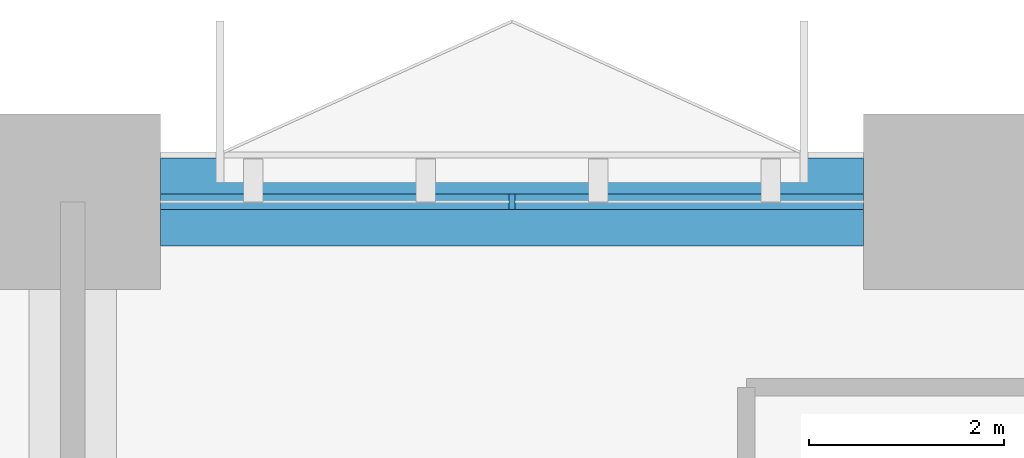
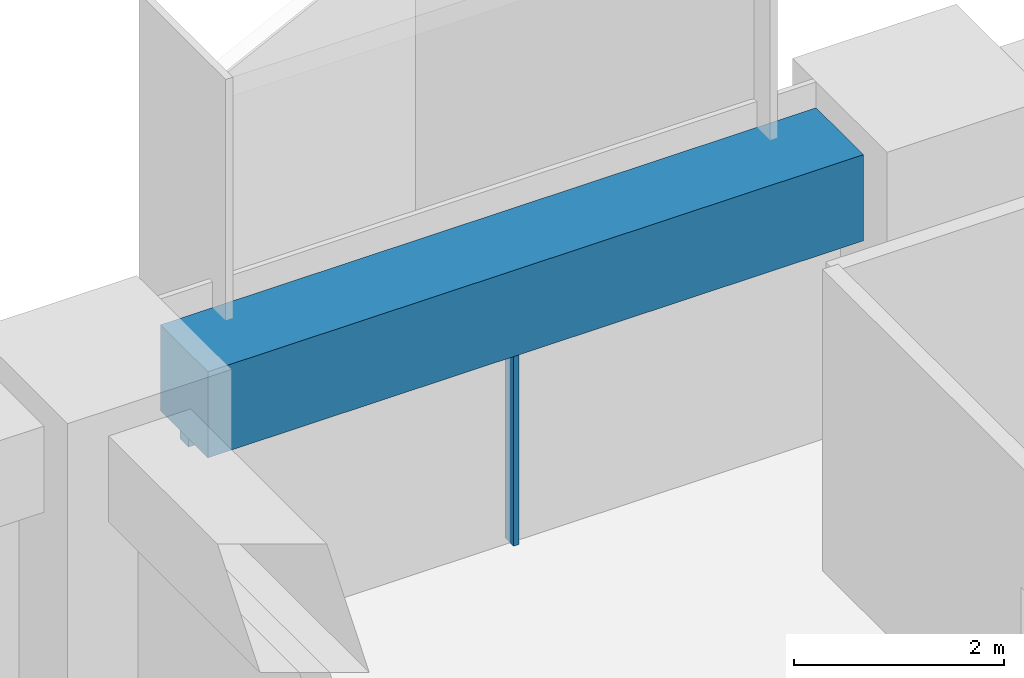
# One storey, part 8 of 22: 2 members, 1 beam, 1 element without a shape of its own.
"""IFC4 building model written with IfcOpenShell, lengths in metres."""

from ifc_helpers import new_model, si_unit, direction, frame, origin, origin_2d, place, context, subcontext, project, spatial, rectangle, extrude, material, material_profile, profile_set, type_object, element, aggregate, save


model = new_model("IFC4")

# Units and contexts
model_context = context("Model", 3, precision=1e-05, world=origin(), true_north=direction((0.0, 1.0)))
body_context = subcontext(model_context, "Body", "Model", "MODEL_VIEW")
ifc_project = project(units=[si_unit("LENGTHUNIT", "METRE"), si_unit("AREAUNIT", "SQUARE_METRE"), si_unit("VOLUMEUNIT", "CUBIC_METRE"), si_unit("PLANEANGLEUNIT", "RADIAN"), si_unit("MASSUNIT", "GRAM", prefix="KILO")], contexts=[model_context])

# Site, building, storey
site_placement = place(None, origin())
site = spatial("IfcSite", under=ifc_project, at=site_placement, CompositionType="ELEMENT")
building_placement = place(site_placement, origin())
building = spatial("IfcBuilding", under=site, at=building_placement, Name="Tessera Arch", CompositionType="ELEMENT")
storey_placement = place(building_placement, frame((0.0, 0.0, 53.800048828125)))
storey = spatial("IfcBuildingStorey", under=building, at=storey_placement, Name="L11", CompositionType="ELEMENT", Elevation=53.800048828125)

# Curtain wall, members
ifc_material_1 = material(Name="CW1 curtain wall")
curtain_wall_type = type_object("IfcCurtainWallType", Name="CW1 curtain wall", PredefinedType="NOTDEFINED", material=ifc_material_1)
curtain_wall_placement = place(storey_placement, origin())
curtain_wall = element("IfcCurtainWall", 1, at=curtain_wall_placement, inside=storey, type_object=curtain_wall_type, Name="CW1 curtain wall N54.0/2 L11", PredefinedType="NOTDEFINED")
ifc_material_2 = material(Name="Anodised aluminium pale metal", Category="aluminium")
ifc_material_profile_1 = material_profile(ifc_material_2, rectangle(XDim=0.159912109375, YDim=0.06005859375, at=origin_2d()), Name="AL 60x160")
ifc_profile_set_1 = profile_set([ifc_material_profile_1], Name="Anodised aluminium pale metal")
member_type_1 = type_object("IfcMemberType", Name="CW1 mullion", PredefinedType="MULLION", material=ifc_profile_set_1)
member_1_placement = place(storey_placement, frame((31.5, 54.0, 0.0), z_axis=(0.0, 0.0, 1.0), x_axis=(0.0, -1.0, 0.0)))
member_1 = element("IfcMember", 2, at=member_1_placement, type_object=member_type_1, Name="CW1 mullion N54.0/2 1", PredefinedType="MULLION", context=body_context, shape_type="SweptSolid", body=[
    extrude(rectangle(XDim=0.159912109375, YDim=0.06005859375, at=origin_2d()), origin(), (0.0, 0.0, 1.0), 2.39990234375),
])
ifc_material_3 = material(Name="Anodised aluminium pale metal", Category="aluminium")
ifc_material_profile_2 = material_profile(ifc_material_3, rectangle(XDim=0.159912109375, YDim=0.10009765625, at=origin_2d()), Name="AL 160x100")
ifc_profile_set_2 = profile_set([ifc_material_profile_2], Name="Anodised aluminium pale metal")
member_type_2 = type_object("IfcMemberType", Name="CW1 transom", PredefinedType="USERDEFINED", material=ifc_profile_set_2)
member_2_placement = place(storey_placement, frame((35.10009765625, 54.0, 2.449951171875), z_axis=(-1.0, 0.0, 0.0), x_axis=(0.0, -1.0, 0.0)))
member_2 = element("IfcMember", 3, at=member_2_placement, type_object=member_type_2, Name="CW1 transom N54.0/2 1.1", ObjectType="TRANSOM", PredefinedType="USERDEFINED", context=body_context, shape_type="SweptSolid", body=[
    extrude(rectangle(XDim=0.159912109375, YDim=0.10009765625, at=origin_2d()), origin(), (0.0, 0.0, 1.0), 7.2001953125),
])
aggregate(curtain_wall, [member_1, member_2])

# Beam
ifc_material_4 = material(Name="Concrete C80/95", Category="concrete")
ifc_material_profile_3 = material_profile(ifc_material_4, rectangle(XDim=0.89990234375, YDim=1.0, at=origin_2d()), Name="RC spandrel beam 900 x 1000 Concrete C80/95")
ifc_profile_set_3 = profile_set([ifc_material_profile_3], Name="Concrete C80/95")
beam_type = type_object("IfcBeamType", Name="RC spandrel beam 900 x 1000 Concrete C80/95", PredefinedType="BEAM", material=ifc_profile_set_3)
beam_placement = place(storey_placement, frame((35.10009765625, 54.0, 3.0), z_axis=(-1.0, 0.0, 0.0), x_axis=(0.0, -1.0, 0.0)))
element("IfcBeam", 4, at=beam_placement, inside=storey, type_object=beam_type, Name="Spandrel beam L11 N54.0/2", PredefinedType="BEAM", context=body_context, shape_type="SweptSolid", body=[
    extrude(rectangle(XDim=0.89990234375, YDim=1.0, at=origin_2d()), origin(), (0.0, 0.0, 1.0), 7.2001953125),
])

save(model, "model.ifc")
